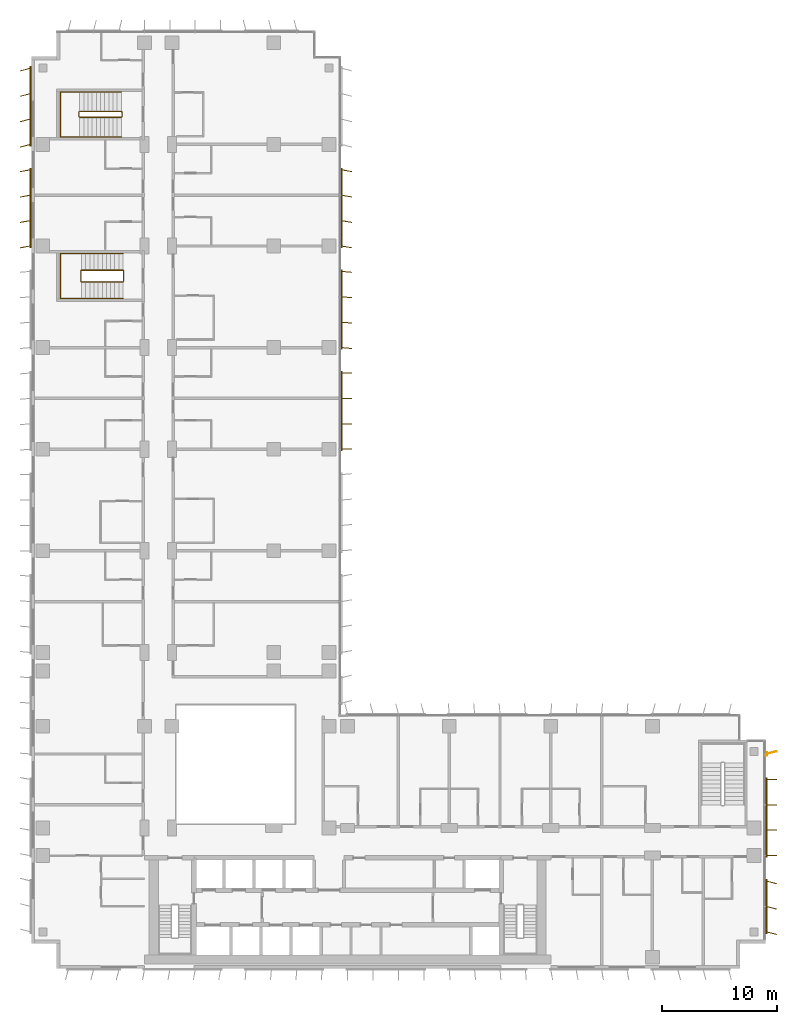
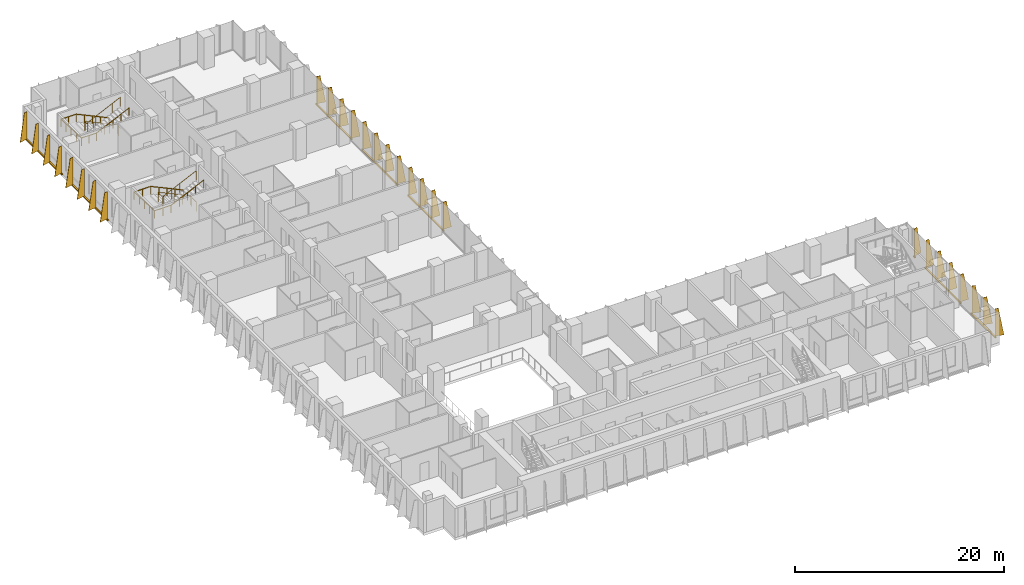
# One storey, part 22 of 23: 8 shading devices, 4 railings.
"""IFC4 building model written with IfcOpenShell, lengths in metres."""

from ifc_helpers import new_model, si_unit, direction, frame, origin, origin_2d, place, context, subcontext, project, spatial, polyline, rectangle, circle, outline, extrude, source, transform, mapped, material, layer, layer_set, type_object, element, save


model = new_model("IFC4")

# Units and contexts
model_context = context("Model", 3, precision=1e-05, world=origin(), true_north=direction((0.0, 1.0)))
body_context = subcontext(model_context, "Body", "Model", "MODEL_VIEW")
ifc_project = project(units=[si_unit("LENGTHUNIT", "METRE"), si_unit("AREAUNIT", "SQUARE_METRE"), si_unit("VOLUMEUNIT", "CUBIC_METRE"), si_unit("PLANEANGLEUNIT", "RADIAN"), si_unit("MASSUNIT", "GRAM", prefix="KILO")], contexts=[model_context])

# Site, building, storey
site_placement = place(None, origin())
site = spatial("IfcSite", under=ifc_project, at=site_placement, CompositionType="ELEMENT")
building_placement = place(site_placement, origin())
building = spatial("IfcBuilding", under=site, at=building_placement, Name="Kemantara Hotel Tower", CompositionType="ELEMENT")
storey_placement = place(building_placement, frame((0.0, 0.0, 114.800048828125)))
storey = spatial("IfcBuildingStorey", under=building, at=storey_placement, Name="L27", CompositionType="ELEMENT", Elevation=114.800048828125)

# Railings
ifc_material_1 = material(Name="Stainless steel balustrade", Category="steel")
railing_type_1 = type_object("IfcRailingType", Name="Stair guard 1100 mm", PredefinedType="GUARDRAIL", material=ifc_material_1)
railing_1_placement = place(storey_placement, frame((7.949951171875, 59.5, 3.699951171875)))
element("IfcRailing", 1, at=railing_1_placement, inside=storey, type_object=railing_type_1, Name="L27 ST4 stair guard 1", PredefinedType="GUARDRAIL", context=body_context, shape_type="SweptSolid", body=[
    extrude(circle(Radius=0.02392578125, at=origin_2d()), frame((0.0, 0.0, 1.076171875), z_axis=(-0.905994681025, 0.0, -0.423289071386), x_axis=(0.0, -1.0, 0.0)), (0.0, 0.0, 1.0), 3.973388671875),
    extrude(circle(Radius=0.02392578125, at=origin_2d()), frame((-3.599853515625, 0.0, -0.60595703125), z_axis=(-0.274243871929, 0.274243871929, -0.92172696468), x_axis=(-0.707106781187, -0.707106781187, 0.0)), (0.0, 0.0, 1.0), 0.1826171875),
    extrude(circle(Radius=0.02392578125, at=origin_2d()), frame((-3.64990234375, 0.050048828125, -0.77392578125), z_axis=(0.0, 1.0, 0.0), x_axis=(-1.0, 0.0, 0.0)), (0.0, 0.0, 1.0), 0.89990234375),
    extrude(circle(Radius=0.02392578125, at=origin_2d()), frame((-3.64990234375, 0.949951171875, -0.77392578125), z_axis=(0.707106781187, 0.707106781187, 0.0), x_axis=(-0.707106781187, 0.707106781187, 0.0)), (0.0, 0.0, 1.0), 0.07080078125),
    extrude(circle(Radius=0.02392578125, at=origin_2d()), frame((-3.599853515625, 1.0, -0.77392578125), z_axis=(0.906018243939, 0.0, -0.423238634402), x_axis=(0.0, 1.0, 0.0)), (0.0, 0.0, 1.0), 3.973388671875),
    extrude(circle(Radius=0.02392578125, at=origin_2d()), frame((0.0, 1.0, -2.45556640625), z_axis=(0.274243871929, -0.274243871929, -0.92172696468), x_axis=(0.707106781187, 0.707106781187, 0.0)), (0.0, 0.0, 1.0), 0.1826171875),
    extrude(circle(Radius=0.02392578125, at=origin_2d()), frame((0.050048828125, 0.949951171875, -2.6240234375), z_axis=(0.0, -1.0, 0.0), x_axis=(1.0, 0.0, 0.0)), (0.0, 0.0, 1.0), 0.89990234375),
    extrude(circle(Radius=0.02099609375, at=origin_2d()), origin(), (0.0, 0.0, 1.0), 1.052001953125),
    extrude(circle(Radius=0.02099609375, at=origin_2d()), frame((-0.89990234375, 0.0, -0.42041015625)), (0.0, 0.0, 1.0), 1.052001953125),
    extrude(circle(Radius=0.02099609375, at=origin_2d()), frame((-1.7998046875, 0.0, -0.8408203125)), (0.0, 0.0, 1.0), 1.052001953125),
    extrude(circle(Radius=0.02099609375, at=origin_2d()), frame((-2.699951171875, 0.0, -1.261474609375)), (0.0, 0.0, 1.0), 1.052001953125),
    extrude(circle(Radius=0.02099609375, at=origin_2d()), frame((-3.599853515625, 0.0, -1.681884765625)), (0.0, 0.0, 1.0), 1.052001953125),
    extrude(circle(Radius=0.02099609375, at=origin_2d()), frame((-3.64990234375, 0.050048828125, -1.85009765625)), (0.0, 0.0, 1.0), 1.052001953125),
    extrude(circle(Radius=0.02099609375, at=origin_2d()), frame((-3.64990234375, 0.949951171875, -1.85009765625)), (0.0, 0.0, 1.0), 1.052001953125),
    extrude(circle(Radius=0.02099609375, at=origin_2d()), frame((-3.599853515625, 1.0, -1.85009765625)), (0.0, 0.0, 1.0), 1.052001953125),
    extrude(circle(Radius=0.02099609375, at=origin_2d()), frame((-2.699951171875, 1.0, -2.2705078125)), (0.0, 0.0, 1.0), 1.052001953125),
    extrude(circle(Radius=0.02099609375, at=origin_2d()), frame((-1.7998046875, 1.0, -2.69091796875)), (0.0, 0.0, 1.0), 1.052001953125),
    extrude(circle(Radius=0.02099609375, at=origin_2d()), frame((-0.89990234375, 1.0, -3.111328125)), (0.0, 0.0, 1.0), 1.052001953125),
    extrude(circle(Radius=0.02099609375, at=origin_2d()), frame((0.0, 1.0, -3.53173828125)), (0.0, 0.0, 1.0), 1.052001953125),
    extrude(circle(Radius=0.02099609375, at=origin_2d()), frame((0.050048828125, 0.949951171875, -3.699951171875)), (0.0, 0.0, 1.0), 1.052001953125),
    extrude(circle(Radius=0.02099609375, at=origin_2d()), frame((0.050048828125, 0.050048828125, -3.699951171875)), (0.0, 0.0, 1.0), 1.052001953125),
])
railing_2_placement = place(storey_placement, frame((7.800048828125, 73.75, 3.699951171875)))
element("IfcRailing", 2, at=railing_2_placement, inside=storey, type_object=railing_type_1, Name="L27 ST6 stair guard 1", PredefinedType="GUARDRAIL", context=body_context, shape_type="SweptSolid", body=[
    extrude(circle(Radius=0.02392578125, at=origin_2d()), frame((0.0, 0.0, 1.076171875), z_axis=(-0.906005689286, 0.0, -0.423265508849), x_axis=(0.0, -1.0, 0.0)), (0.0, 0.0, 1.0), 3.9736328125),
    extrude(circle(Radius=0.02392578125, at=origin_2d()), frame((-3.60009765625, 0.0, -0.60595703125), z_axis=(-0.274243871929, 0.274243871929, -0.92172696468), x_axis=(-0.707106781187, -0.707106781187, 0.0)), (0.0, 0.0, 1.0), 0.1826171875),
    extrude(circle(Radius=0.02392578125, at=origin_2d()), frame((-3.650146484375, 0.050048828125, -0.77392578125), z_axis=(0.0, 1.0, 0.0), x_axis=(-1.0, 0.0, 0.0)), (0.0, 0.0, 1.0), 0.39990234375),
    extrude(circle(Radius=0.02392578125, at=origin_2d()), frame((-3.650146484375, 0.449951171875, -0.77392578125), z_axis=(0.707106781187, 0.707106781187, 0.0), x_axis=(-0.707106781187, 0.707106781187, 0.0)), (0.0, 0.0, 1.0), 0.07080078125),
    extrude(circle(Radius=0.02392578125, at=origin_2d()), frame((-3.60009765625, 0.5, -0.77392578125), z_axis=(0.906029249863, 0.0, -0.423215073447), x_axis=(0.0, 1.0, 0.0)), (0.0, 0.0, 1.0), 3.973388671875),
    extrude(circle(Radius=0.02392578125, at=origin_2d()), frame((0.0, 0.5, -2.45556640625), z_axis=(0.274243871929, -0.274243871929, -0.92172696468), x_axis=(0.707106781187, 0.707106781187, 0.0)), (0.0, 0.0, 1.0), 0.1826171875),
    extrude(circle(Radius=0.02392578125, at=origin_2d()), frame((0.050048828125, 0.449951171875, -2.6240234375), z_axis=(0.0, -1.0, 0.0), x_axis=(1.0, 0.0, 0.0)), (0.0, 0.0, 1.0), 0.39990234375),
    extrude(circle(Radius=0.02099609375, at=origin_2d()), origin(), (0.0, 0.0, 1.0), 1.052001953125),
    extrude(circle(Radius=0.02099609375, at=origin_2d()), frame((-0.89990234375, 0.0, -0.42041015625)), (0.0, 0.0, 1.0), 1.052001953125),
    extrude(circle(Radius=0.02099609375, at=origin_2d()), frame((-1.800048828125, 0.0, -0.8408203125)), (0.0, 0.0, 1.0), 1.052001953125),
    extrude(circle(Radius=0.02099609375, at=origin_2d()), frame((-2.7001953125, 0.0, -1.261474609375)), (0.0, 0.0, 1.0), 1.052001953125),
    extrude(circle(Radius=0.02099609375, at=origin_2d()), frame((-3.60009765625, 0.0, -1.681884765625)), (0.0, 0.0, 1.0), 1.052001953125),
    extrude(circle(Radius=0.02099609375, at=origin_2d()), frame((-3.650146484375, 0.050048828125, -1.85009765625)), (0.0, 0.0, 1.0), 1.052001953125),
    extrude(circle(Radius=0.02099609375, at=origin_2d()), frame((-3.650146484375, 0.449951171875, -1.85009765625)), (0.0, 0.0, 1.0), 1.052001953125),
    extrude(circle(Radius=0.02099609375, at=origin_2d()), frame((-3.60009765625, 0.5, -1.85009765625)), (0.0, 0.0, 1.0), 1.052001953125),
    extrude(circle(Radius=0.02099609375, at=origin_2d()), frame((-2.7001953125, 0.5, -2.2705078125)), (0.0, 0.0, 1.0), 1.052001953125),
    extrude(circle(Radius=0.02099609375, at=origin_2d()), frame((-1.800048828125, 0.5, -2.69091796875)), (0.0, 0.0, 1.0), 1.052001953125),
    extrude(circle(Radius=0.02099609375, at=origin_2d()), frame((-0.89990234375, 0.5, -3.111328125)), (0.0, 0.0, 1.0), 1.052001953125),
    extrude(circle(Radius=0.02099609375, at=origin_2d()), frame((0.0, 0.5, -3.53173828125)), (0.0, 0.0, 1.0), 1.052001953125),
    extrude(circle(Radius=0.02099609375, at=origin_2d()), frame((0.050048828125, 0.449951171875, -3.699951171875)), (0.0, 0.0, 1.0), 1.052001953125),
    extrude(circle(Radius=0.02099609375, at=origin_2d()), frame((0.050048828125, 0.050048828125, -3.699951171875)), (0.0, 0.0, 1.0), 1.052001953125),
])
railing_type_2 = type_object("IfcRailingType", Name="Stair handrail 900 mm", PredefinedType="HANDRAIL", material=ifc_material_1)
railing_3_placement = place(storey_placement, frame((7.949951171875, 61.949951171875, 0.168212890625)))
element("IfcRailing", 3, at=railing_3_placement, inside=storey, type_object=railing_type_2, Name="L27 ST4 stair handrail 1", PredefinedType="HANDRAIL", context=body_context, shape_type="SweptSolid", body=[
    extrude(circle(Radius=0.02392578125, at=origin_2d()), frame((0.0, 0.0, 0.8759765625), z_axis=(-0.906018243939, 0.0, 0.423238634402), x_axis=(0.0, -1.0, 0.0)), (0.0, 0.0, 1.0), 3.973388671875),
    extrude(circle(Radius=0.02392578125, at=origin_2d()), frame((-3.599853515625, 0.0, 2.5576171875), z_axis=(-1.0, 0.0, 0.0), x_axis=(0.0, -1.0, 0.0)), (0.0, 0.0, 1.0), 1.830078125),
    extrude(circle(Radius=0.02392578125, at=origin_2d()), frame((-5.429931640625, 0.0, 2.5576171875), z_axis=(0.0, -0.999071085748, 0.043092523981), x_axis=(1.0, 0.0, 0.0)), (0.0, 0.0, 1.0), 3.903564453125),
    extrude(circle(Radius=0.02392578125, at=origin_2d()), frame((-5.429931640625, -3.89990234375, 2.7255859375), z_axis=(1.0, 0.0, 0.0), x_axis=(0.0, 1.0, 0.0)), (0.0, 0.0, 1.0), 1.830078125),
    extrude(circle(Radius=0.02392578125, at=origin_2d()), frame((-3.599853515625, -3.89990234375, 2.7255859375), z_axis=(0.905994681025, 0.0, 0.423289071386), x_axis=(0.0, 1.0, 0.0)), (0.0, 0.0, 1.0), 3.973388671875),
    extrude(circle(Radius=0.02099609375, at=origin_2d()), origin(), (0.0, 0.0, 1.0), 0.851806640625),
    extrude(circle(Radius=0.02099609375, at=origin_2d()), frame((-0.89990234375, 0.0, 0.42041015625)), (0.0, 0.0, 1.0), 0.851806640625),
    extrude(circle(Radius=0.02099609375, at=origin_2d()), frame((-1.7998046875, 0.0, 0.8408203125)), (0.0, 0.0, 1.0), 0.851806640625),
    extrude(circle(Radius=0.02099609375, at=origin_2d()), frame((-2.699951171875, 0.0, 1.26123046875)), (0.0, 0.0, 1.0), 0.851806640625),
    extrude(circle(Radius=0.02099609375, at=origin_2d()), frame((-3.599853515625, 0.0, 1.681640625)), (0.0, 0.0, 1.0), 0.851806640625),
    extrude(circle(Radius=0.02099609375, at=origin_2d()), frame((-4.514892578125, 0.0, 1.681640625)), (0.0, 0.0, 1.0), 0.851806640625),
    extrude(circle(Radius=0.02099609375, at=origin_2d()), frame((-5.429931640625, 0.0, 1.681640625)), (0.0, 0.0, 1.0), 0.851806640625),
    extrude(circle(Radius=0.02099609375, at=origin_2d()), frame((-5.429931640625, -0.97509765625, 1.7236328125)), (0.0, 0.0, 1.0), 0.851806640625),
    extrude(circle(Radius=0.02099609375, at=origin_2d()), frame((-5.429931640625, -1.949951171875, 1.765625)), (0.0, 0.0, 1.0), 0.851806640625),
    extrude(circle(Radius=0.02099609375, at=origin_2d()), frame((-5.429931640625, -2.9248046875, 1.807861328125)), (0.0, 0.0, 1.0), 0.851806640625),
    extrude(circle(Radius=0.02099609375, at=origin_2d()), frame((-5.429931640625, -3.89990234375, 1.849853515625)), (0.0, 0.0, 1.0), 0.851806640625),
    extrude(circle(Radius=0.02099609375, at=origin_2d()), frame((-4.514892578125, -3.89990234375, 1.849853515625)), (0.0, 0.0, 1.0), 0.851806640625),
    extrude(circle(Radius=0.02099609375, at=origin_2d()), frame((-3.599853515625, -3.89990234375, 1.849853515625)), (0.0, 0.0, 1.0), 0.851806640625),
    extrude(circle(Radius=0.02099609375, at=origin_2d()), frame((-2.699951171875, -3.89990234375, 2.270263671875)), (0.0, 0.0, 1.0), 0.851806640625),
    extrude(circle(Radius=0.02099609375, at=origin_2d()), frame((-1.7998046875, -3.89990234375, 2.69091796875)), (0.0, 0.0, 1.0), 0.851806640625),
    extrude(circle(Radius=0.02099609375, at=origin_2d()), frame((-0.89990234375, -3.89990234375, 3.111328125)), (0.0, 0.0, 1.0), 0.851806640625),
    extrude(circle(Radius=0.02099609375, at=origin_2d()), frame((0.0, -3.89990234375, 3.53173828125)), (0.0, 0.0, 1.0), 0.851806640625),
])
railing_4_placement = place(storey_placement, frame((7.800048828125, 75.949951171875, 0.168212890625)))
element("IfcRailing", 4, at=railing_4_placement, inside=storey, type_object=railing_type_2, Name="L27 ST6 stair handrail 1", PredefinedType="HANDRAIL", context=body_context, shape_type="SweptSolid", body=[
    extrude(circle(Radius=0.02392578125, at=origin_2d()), frame((0.0, 0.0, 0.8759765625), z_axis=(-0.906029249863, 0.0, 0.423215073447), x_axis=(0.0, -1.0, 0.0)), (0.0, 0.0, 1.0), 3.973388671875),
    extrude(circle(Radius=0.02392578125, at=origin_2d()), frame((-3.60009765625, 0.0, 2.5576171875), z_axis=(-1.0, 0.0, 0.0), x_axis=(0.0, -1.0, 0.0)), (0.0, 0.0, 1.0), 1.679931640625),
    extrude(circle(Radius=0.02392578125, at=origin_2d()), frame((-5.280029296875, 0.0, 2.5576171875), z_axis=(0.0, -0.999071085748, 0.043092523981), x_axis=(1.0, 0.0, 0.0)), (0.0, 0.0, 1.0), 3.903564453125),
    extrude(circle(Radius=0.02392578125, at=origin_2d()), frame((-5.280029296875, -3.89990234375, 2.7255859375), z_axis=(1.0, 0.0, 0.0), x_axis=(0.0, 1.0, 0.0)), (0.0, 0.0, 1.0), 1.679931640625),
    extrude(circle(Radius=0.02392578125, at=origin_2d()), frame((-3.60009765625, -3.89990234375, 2.7255859375), z_axis=(0.906005689286, 0.0, 0.423265508849), x_axis=(0.0, 1.0, 0.0)), (0.0, 0.0, 1.0), 3.9736328125),
    extrude(circle(Radius=0.02099609375, at=origin_2d()), origin(), (0.0, 0.0, 1.0), 0.851806640625),
    extrude(circle(Radius=0.02099609375, at=origin_2d()), frame((-0.89990234375, 0.0, 0.42041015625)), (0.0, 0.0, 1.0), 0.851806640625),
    extrude(circle(Radius=0.02099609375, at=origin_2d()), frame((-1.800048828125, 0.0, 0.8408203125)), (0.0, 0.0, 1.0), 0.851806640625),
    extrude(circle(Radius=0.02099609375, at=origin_2d()), frame((-2.7001953125, 0.0, 1.26123046875)), (0.0, 0.0, 1.0), 0.851806640625),
    extrude(circle(Radius=0.02099609375, at=origin_2d()), frame((-3.60009765625, 0.0, 1.681640625)), (0.0, 0.0, 1.0), 0.851806640625),
    extrude(circle(Radius=0.02099609375, at=origin_2d()), frame((-4.43994140625, 0.0, 1.681640625)), (0.0, 0.0, 1.0), 0.851806640625),
    extrude(circle(Radius=0.02099609375, at=origin_2d()), frame((-5.280029296875, 0.0, 1.681640625)), (0.0, 0.0, 1.0), 0.851806640625),
    extrude(circle(Radius=0.02099609375, at=origin_2d()), frame((-5.280029296875, -0.97509765625, 1.7236328125)), (0.0, 0.0, 1.0), 0.851806640625),
    extrude(circle(Radius=0.02099609375, at=origin_2d()), frame((-5.280029296875, -1.949951171875, 1.765625)), (0.0, 0.0, 1.0), 0.851806640625),
    extrude(circle(Radius=0.02099609375, at=origin_2d()), frame((-5.280029296875, -2.9248046875, 1.807861328125)), (0.0, 0.0, 1.0), 0.851806640625),
    extrude(circle(Radius=0.02099609375, at=origin_2d()), frame((-5.280029296875, -3.89990234375, 1.849853515625)), (0.0, 0.0, 1.0), 0.851806640625),
    extrude(circle(Radius=0.02099609375, at=origin_2d()), frame((-4.43994140625, -3.89990234375, 1.849853515625)), (0.0, 0.0, 1.0), 0.851806640625),
    extrude(circle(Radius=0.02099609375, at=origin_2d()), frame((-3.60009765625, -3.89990234375, 1.849853515625)), (0.0, 0.0, 1.0), 0.851806640625),
    extrude(circle(Radius=0.02099609375, at=origin_2d()), frame((-2.7001953125, -3.89990234375, 2.270263671875)), (0.0, 0.0, 1.0), 0.851806640625),
    extrude(circle(Radius=0.02099609375, at=origin_2d()), frame((-1.800048828125, -3.89990234375, 2.69091796875)), (0.0, 0.0, 1.0), 0.851806640625),
    extrude(circle(Radius=0.02099609375, at=origin_2d()), frame((-0.89990234375, -3.89990234375, 3.111328125)), (0.0, 0.0, 1.0), 0.851806640625),
    extrude(circle(Radius=0.02099609375, at=origin_2d()), frame((0.0, -3.89990234375, 3.53173828125)), (0.0, 0.0, 1.0), 0.851806640625),
])

# Shading devices
ifc_material_2 = material(Name="Perforated aluminium plate 4 mm bronze anodised", Category="aluminium")
ifc_layer_1 = layer(ifc_material_2, 0.0400390625)
ifc_layer_set_1 = layer_set([ifc_layer_1], Name="Perforated aluminium plate 4 mm bronze anodised")
shading_device_type_1 = type_object("IfcShadingDeviceType", Name="SCREEN FIN CASSETTE, 3 BLADES AT -15.0 DEG, 3200 HIGH", PredefinedType="USERDEFINED", material=ifc_layer_set_1)
shared_shape_1 = source(origin(), body_context, "Body", "SweptSolid", [
    extrude(rectangle(XDim=4.699951171875, YDim=0.14990234375, at=origin_2d()), frame((2.199951171875, -0.074951171875, -0.14990234375), z_axis=(0.0, 0.0, 1.0), x_axis=(1.0, 0.0, 0.0)), (0.0, 0.0, 1.0), 0.14990234375),
    extrude(outline(polyline([(0.0, 0.0), (0.89990234375, 0.0), (0.35009765625, 3.199951171875), (0.0, 3.199951171875), (0.0, 0.0)])), frame((0.019287109375, -0.080078125, 0.0), z_axis=(-0.966437683387, 0.256901156343, 0.0), x_axis=(-0.256901156343, -0.966437683387, 0.0)), (0.0, 0.0, 1.0), 0.039794921875),
    extrude(outline(polyline([(0.0, 0.0), (0.89990234375, 0.0), (0.35009765625, 3.199951171875), (0.0, 3.199951171875), (0.0, 0.0)])), frame((2.21923828125, -0.080078125, 0.0), z_axis=(-0.966437683387, 0.256901156343, 0.0), x_axis=(-0.256901156343, -0.966437683387, 0.0)), (0.0, 0.0, 1.0), 0.039794921875),
    extrude(outline(polyline([(0.0, 0.0), (0.89990234375, 0.0), (0.35009765625, 3.199951171875), (0.0, 3.199951171875), (0.0, 0.0)])), frame((4.41943359375, -0.080078125, 0.0), z_axis=(-0.966837822169, 0.255391122837, 0.0), x_axis=(-0.255391122837, -0.966837822169, 0.0)), (0.0, 0.0, 1.0), 0.0400390625),
])
shading_device_1_placement = place(storey_placement, frame((63.60009765625, 3.199951171875, 0.099853515625), z_axis=(0.0, 0.0, 1.0), x_axis=(0.0, 1.0, 0.0)))
element("IfcShadingDevice", 5, at=shading_device_1_placement, inside=storey, type_object=shading_device_type_1, Name="SCREEN FIN CASSETTE L27 T2-R10-1", ObjectType="SCREEN FIN", PredefinedType="USERDEFINED", context=body_context, shape_type="MappedRepresentation", body=[
    mapped(shared_shape_1, transform((0.0, 0.0, 0.0))),
])
ifc_layer_2 = layer(ifc_material_2, 0.0400390625)
ifc_layer_set_2 = layer_set([ifc_layer_2], Name="Perforated aluminium plate 4 mm bronze anodised")
shading_device_type_2 = type_object("IfcShadingDeviceType", Name="SCREEN FIN CASSETTE, 4 BLADES AT -10.0 DEG, 3200 HIGH", PredefinedType="USERDEFINED", material=ifc_layer_set_2)
shared_shape_2 = source(origin(), body_context, "Body", "SweptSolid", [
    extrude(rectangle(XDim=6.89990234375, YDim=0.14990234375, at=origin_2d()), frame((3.300048828125, -0.074951171875, -0.14990234375), z_axis=(0.0, 0.0, 1.0), x_axis=(1.0, 0.0, 0.0)), (0.0, 0.0, 1.0), 0.14990234375),
    extrude(outline(polyline([(0.0, 0.0), (0.89990234375, 0.0), (0.35009765625, 3.199951171875), (0.0, 3.199951171875), (0.0, 0.0)])), frame((0.019775390625, -0.078369140625, 0.0), z_axis=(-0.985389793052, 0.170314285219, 0.0), x_axis=(-0.170314285219, -0.985389793052, 0.0)), (0.0, 0.0, 1.0), 0.0400390625),
    extrude(outline(polyline([(0.0, 0.0), (0.89990234375, 0.0), (0.35009765625, 3.199951171875), (0.0, 3.199951171875), (0.0, 0.0)])), frame((2.2197265625, -0.078369140625, 0.0), z_axis=(-0.98521175482, 0.171341174751, 0.0), x_axis=(-0.171341174751, -0.98521175482, 0.0)), (0.0, 0.0, 1.0), 0.039794921875),
    extrude(outline(polyline([(0.0, 0.0), (0.89990234375, 0.0), (0.35009765625, 3.199951171875), (0.0, 3.199951171875), (0.0, 0.0)])), frame((4.419677734375, -0.078369140625, 0.0), z_axis=(-0.98521175482, 0.171341174751, 0.0), x_axis=(-0.171341174751, -0.98521175482, 0.0)), (0.0, 0.0, 1.0), 0.039794921875),
    extrude(outline(polyline([(0.0, 0.0), (0.89990234375, 0.0), (0.35009765625, 3.199951171875), (0.0, 3.199951171875), (0.0, 0.0)])), frame((6.61962890625, -0.078369140625, 0.0), z_axis=(-0.98521175482, 0.171341174751, 0.0), x_axis=(-0.171341174751, -0.98521175482, 0.0)), (0.0, 0.0, 1.0), 0.039794921875),
])
shading_device_2_placement = place(storey_placement, frame((26.800048828125, 62.60009765625, 0.099853515625), z_axis=(0.0, 0.0, 1.0), x_axis=(0.0, 1.0, 0.0)))
element("IfcShadingDevice", 6, at=shading_device_2_placement, inside=storey, type_object=shading_device_type_2, Name="SCREEN FIN CASSETTE L27 T2-R14-6", ObjectType="SCREEN FIN", PredefinedType="USERDEFINED", context=body_context, shape_type="MappedRepresentation", body=[
    mapped(shared_shape_2, transform((0.0, 0.0, 0.0))),
])
ifc_layer_3 = layer(ifc_material_2, 0.0400390625)
ifc_layer_set_3 = layer_set([ifc_layer_3], Name="Perforated aluminium plate 4 mm bronze anodised")
shading_device_type_3 = type_object("IfcShadingDeviceType", Name="SCREEN FIN CASSETTE, 4 BLADES AT -5.0 DEG, 3200 HIGH", PredefinedType="USERDEFINED", material=ifc_layer_set_3)
shared_shape_3 = source(origin(), body_context, "Body", "SweptSolid", [
    extrude(rectangle(XDim=6.89990234375, YDim=0.14990234375, at=origin_2d()), frame((3.300048828125, -0.074951171875, -0.14990234375), z_axis=(0.0, 0.0, 1.0), x_axis=(1.0, 0.0, 0.0)), (0.0, 0.0, 1.0), 0.14990234375),
    extrude(outline(polyline([(0.0, 0.0), (0.89990234375, 0.0), (0.35009765625, 3.199951171875), (0.0, 3.199951171875), (0.0, 0.0)])), frame((0.02001953125, -0.07666015625, 0.0), z_axis=(-0.996376129781, 0.085056498884, 0.0), x_axis=(-0.085056498884, -0.996376129781, 0.0)), (0.0, 0.0, 1.0), 0.040283203125),
    extrude(outline(polyline([(0.0, 0.0), (0.89990234375, 0.0), (0.35009765625, 3.199951171875), (0.0, 3.199951171875), (0.0, 0.0)])), frame((2.219970703125, -0.07666015625, 0.0), z_axis=(-0.996331773833, 0.085574508182, 0.0), x_axis=(-0.085574508182, -0.996331773833, 0.0)), (0.0, 0.0, 1.0), 0.0400390625),
    extrude(outline(polyline([(0.0, 0.0), (0.89990234375, 0.0), (0.35009765625, 3.199951171875), (0.0, 3.199951171875), (0.0, 0.0)])), frame((4.419921875, -0.07666015625, 0.0), z_axis=(-0.996331773833, 0.085574508182, 0.0), x_axis=(-0.085574508182, -0.996331773833, 0.0)), (0.0, 0.0, 1.0), 0.0400390625),
    extrude(outline(polyline([(0.0, 0.0), (0.89990234375, 0.0), (0.35009765625, 3.199951171875), (0.0, 3.199951171875), (0.0, 0.0)])), frame((6.619873046875, -0.07666015625, 0.0), z_axis=(-0.996331773833, 0.085574508182, 0.0), x_axis=(-0.085574508182, -0.996331773833, 0.0)), (0.0, 0.0, 1.0), 0.0400390625),
])
shading_device_3_placement = place(storey_placement, frame((26.800048828125, 53.800048828125, 0.099853515625), z_axis=(0.0, 0.0, 1.0), x_axis=(0.0, 1.0, 0.0)))
element("IfcShadingDevice", 7, at=shading_device_3_placement, inside=storey, type_object=shading_device_type_3, Name="SCREEN FIN CASSETTE L27 T2-R14-5", ObjectType="SCREEN FIN", PredefinedType="USERDEFINED", context=body_context, shape_type="MappedRepresentation", body=[
    mapped(shared_shape_3, transform((0.0, 0.0, 0.0))),
])
ifc_layer_4 = layer(ifc_material_2, 0.0400390625)
ifc_layer_set_4 = layer_set([ifc_layer_4], Name="Perforated aluminium plate 4 mm bronze anodised")
shading_device_type_4 = type_object("IfcShadingDeviceType", Name="SCREEN FIN CASSETTE, 4 BLADES AT +0.0 DEG, 3200 HIGH", PredefinedType="USERDEFINED", material=ifc_layer_set_4)
shared_shape_4 = source(origin(), body_context, "Body", "SweptSolid", [
    extrude(rectangle(XDim=6.89990234375, YDim=0.14990234375, at=origin_2d()), frame((3.300048828125, -0.074951171875, -0.14990234375), z_axis=(0.0, 0.0, 1.0), x_axis=(1.0, 0.0, 0.0)), (0.0, 0.0, 1.0), 0.14990234375),
    extrude(outline(polyline([(0.0, 0.0), (0.89990234375, 0.0), (0.35009765625, 3.199951171875), (0.0, 3.199951171875), (0.0, 0.0)])), frame((0.02001953125, -0.074951171875, 0.0), z_axis=(-1.0, 0.0, 0.0), x_axis=(0.0, -1.0, 0.0)), (0.0, 0.0, 1.0), 0.0400390625),
    extrude(outline(polyline([(0.0, 0.0), (0.89990234375, 0.0), (0.35009765625, 3.199951171875), (0.0, 3.199951171875), (0.0, 0.0)])), frame((2.219970703125, -0.074951171875, 0.0), z_axis=(-1.0, 0.0, 0.0), x_axis=(0.0, -1.0, 0.0)), (0.0, 0.0, 1.0), 0.0400390625),
    extrude(outline(polyline([(0.0, 0.0), (0.89990234375, 0.0), (0.35009765625, 3.199951171875), (0.0, 3.199951171875), (0.0, 0.0)])), frame((4.419921875, -0.074951171875, 0.0), z_axis=(-1.0, 0.0, 0.0), x_axis=(0.0, -1.0, 0.0)), (0.0, 0.0, 1.0), 0.0400390625),
    extrude(outline(polyline([(0.0, 0.0), (0.89990234375, 0.0), (0.35009765625, 3.199951171875), (0.0, 3.199951171875), (0.0, 0.0)])), frame((6.6201171875, -0.074951171875, 0.0), z_axis=(-1.0, 0.0, 0.0), x_axis=(0.0, -1.0, 0.0)), (0.0, 0.0, 1.0), 0.0400390625),
])
for number, where, z_axis, x_axis, name in (
    (8, (63.60009765625, 9.800048828125, 0.099853515625), (0.0, 0.0, 1.0), (0.0, 1.0, 0.0), "SCREEN FIN CASSETTE L27 T2-R10-2"),
    (9, (26.800048828125, 45.0, 0.099853515625), (0.0, 0.0, 1.0), (0.0, 1.0, 0.0), "SCREEN FIN CASSETTE L27 T2-R14-4"),
):
    element("IfcShadingDevice", number, at=place(storey_placement, frame(where, z_axis=z_axis, x_axis=x_axis)), inside=storey, type_object=shading_device_type_4, Name=name, ObjectType="SCREEN FIN", PredefinedType="USERDEFINED", context=body_context, shape_type="MappedRepresentation", body=[
        mapped(shared_shape_4, transform((0.0, 0.0, 0.0))),
    ])
ifc_layer_5 = layer(ifc_material_2, 0.0400390625)
ifc_layer_set_5 = layer_set([ifc_layer_5], Name="Perforated aluminium plate 4 mm bronze anodised")
shading_device_type_5 = type_object("IfcShadingDeviceType", Name="SCREEN FIN CASSETTE, 4 BLADES AT +10.0 DEG, 3200 HIGH", PredefinedType="USERDEFINED", material=ifc_layer_set_5)
shared_shape_5 = source(origin(), body_context, "Body", "SweptSolid", [
    extrude(rectangle(XDim=6.89990234375, YDim=0.14990234375, at=origin_2d()), frame((3.300048828125, -0.074951171875, -0.14990234375), z_axis=(0.0, 0.0, 1.0), x_axis=(1.0, 0.0, 0.0)), (0.0, 0.0, 1.0), 0.14990234375),
    extrude(outline(polyline([(0.0, 0.0), (0.89990234375, 0.0), (0.35009765625, 3.199951171875), (0.0, 3.199951171875), (0.0, 0.0)])), frame((0.019775390625, -0.071533203125, 0.0), z_axis=(-0.985389793052, -0.170314285219, 0.0), x_axis=(0.170314285219, -0.985389793052, 0.0)), (0.0, 0.0, 1.0), 0.0400390625),
    extrude(outline(polyline([(0.0, 0.0), (0.89990234375, 0.0), (0.35009765625, 3.199951171875), (0.0, 3.199951171875), (0.0, 0.0)])), frame((2.2197265625, -0.071533203125, 0.0), z_axis=(-0.98521175482, -0.171341174751, 0.0), x_axis=(0.171341174751, -0.98521175482, 0.0)), (0.0, 0.0, 1.0), 0.039794921875),
    extrude(outline(polyline([(0.0, 0.0), (0.89990234375, 0.0), (0.35009765625, 3.199951171875), (0.0, 3.199951171875), (0.0, 0.0)])), frame((4.419677734375, -0.071533203125, 0.0), z_axis=(-0.98521175482, -0.171341174751, 0.0), x_axis=(0.171341174751, -0.98521175482, 0.0)), (0.0, 0.0, 1.0), 0.039794921875),
    extrude(outline(polyline([(0.0, 0.0), (0.89990234375, 0.0), (0.35009765625, 3.199951171875), (0.0, 3.199951171875), (0.0, 0.0)])), frame((6.61962890625, -0.071533203125, 0.0), z_axis=(-0.98521175482, -0.171341174751, 0.0), x_axis=(0.171341174751, -0.98521175482, 0.0)), (0.0, 0.0, 1.0), 0.039794921875),
])
shading_device_4_placement = place(storey_placement, frame((0.0, 69.199951171875, 0.099853515625), z_axis=(0.0, 0.0, 1.0), x_axis=(0.0, -1.0, 0.0)))
element("IfcShadingDevice", 10, at=shading_device_4_placement, inside=storey, type_object=shading_device_type_5, Name="SCREEN FIN CASSETTE L27 T2-R04-2", ObjectType="SCREEN FIN", PredefinedType="USERDEFINED", context=body_context, shape_type="MappedRepresentation", body=[
    mapped(shared_shape_5, transform((0.0, 0.0, 0.0))),
])
ifc_layer_6 = layer(ifc_material_2, 0.0400390625)
ifc_layer_set_6 = layer_set([ifc_layer_6], Name="Perforated aluminium plate 4 mm bronze anodised")
shading_device_type_6 = type_object("IfcShadingDeviceType", Name="SCREEN FIN CASSETTE, 4 BLADES AT +15.0 DEG, 3200 HIGH", PredefinedType="USERDEFINED", material=ifc_layer_set_6)
shared_shape_6 = source(origin(), body_context, "Body", "SweptSolid", [
    extrude(rectangle(XDim=6.89990234375, YDim=0.14990234375, at=origin_2d()), frame((3.300048828125, -0.074951171875, -0.14990234375), z_axis=(0.0, 0.0, 1.0), x_axis=(1.0, 0.0, 0.0)), (0.0, 0.0, 1.0), 0.14990234375),
    extrude(outline(polyline([(0.0, 0.0), (0.89990234375, 0.0), (0.35009765625, 3.199951171875), (0.0, 3.199951171875), (0.0, 0.0)])), frame((0.019287109375, -0.06982421875, 0.0), z_axis=(-0.966437683387, -0.256901156343, 0.0), x_axis=(0.256901156343, -0.966437683387, 0.0)), (0.0, 0.0, 1.0), 0.039794921875),
    extrude(outline(polyline([(0.0, 0.0), (0.89990234375, 0.0), (0.35009765625, 3.199951171875), (0.0, 3.199951171875), (0.0, 0.0)])), frame((2.21923828125, -0.06982421875, 0.0), z_axis=(-0.966437683387, -0.256901156343, 0.0), x_axis=(0.256901156343, -0.966437683387, 0.0)), (0.0, 0.0, 1.0), 0.039794921875),
    extrude(outline(polyline([(0.0, 0.0), (0.89990234375, 0.0), (0.35009765625, 3.199951171875), (0.0, 3.199951171875), (0.0, 0.0)])), frame((4.41943359375, -0.06982421875, 0.0), z_axis=(-0.966837822169, -0.255391122837, 0.0), x_axis=(0.255391122837, -0.966837822169, 0.0)), (0.0, 0.0, 1.0), 0.0400390625),
    extrude(outline(polyline([(0.0, 0.0), (0.89990234375, 0.0), (0.35009765625, 3.199951171875), (0.0, 3.199951171875), (0.0, 0.0)])), frame((6.619384765625, -0.06982421875, 0.0), z_axis=(-0.966837822169, -0.255391122837, 0.0), x_axis=(0.255391122837, -0.966837822169, 0.0)), (0.0, 0.0, 1.0), 0.0400390625),
])
shading_device_5_placement = place(storey_placement, frame((0.0, 78.0, 0.099853515625), z_axis=(0.0, 0.0, 1.0), x_axis=(0.0, -1.0, 0.0)))
element("IfcShadingDevice", 11, at=shading_device_5_placement, inside=storey, type_object=shading_device_type_6, Name="SCREEN FIN CASSETTE L27 T2-R04-1", ObjectType="SCREEN FIN", PredefinedType="USERDEFINED", context=body_context, shape_type="MappedRepresentation", body=[
    mapped(shared_shape_6, transform((0.0, 0.0, 0.0))),
])
ifc_layer_7 = layer(ifc_material_2, 0.0400390625)
ifc_layer_set_7 = layer_set([ifc_layer_7], Name="Perforated aluminium plate 4 mm bronze anodised")
shading_device_type_7 = type_object("IfcShadingDeviceType", Name="SCREEN FIN CASSETTE, 1 BLADE AT +15.0 DEG, 3200 HIGH", PredefinedType="USERDEFINED", material=ifc_layer_set_7)
shared_shape_7 = source(origin(), body_context, "Body", "SweptSolid", [
    extrude(rectangle(XDim=0.300048828125, YDim=0.14990234375, at=origin_2d()), frame((0.0, -0.074951171875, -0.14990234375), z_axis=(0.0, 0.0, 1.0), x_axis=(1.0, 0.0, 0.0)), (0.0, 0.0, 1.0), 0.14990234375),
    extrude(outline(polyline([(0.0, 0.0), (0.89990234375, 0.0), (0.35009765625, 3.199951171875), (0.0, 3.199951171875), (0.0, 0.0)])), frame((0.019287109375, -0.06982421875, 0.0), z_axis=(-0.966437683387, -0.256901156343, 0.0), x_axis=(0.256901156343, -0.966437683387, 0.0)), (0.0, 0.0, 1.0), 0.039794921875),
])
shading_device_6_placement = place(storey_placement, frame((63.60009765625, 18.60009765625, 0.099853515625), z_axis=(0.0, 0.0, 1.0), x_axis=(0.0, 1.0, 0.0)))
element("IfcShadingDevice", 12, at=shading_device_6_placement, inside=storey, type_object=shading_device_type_7, Name="SCREEN FIN CASSETTE L27 T2-R10-3", ObjectType="SCREEN FIN", PredefinedType="USERDEFINED", context=body_context, shape_type="MappedRepresentation", body=[
    mapped(shared_shape_7, transform((0.0, 0.0, 0.0))),
])

save(model, "model.ifc")
